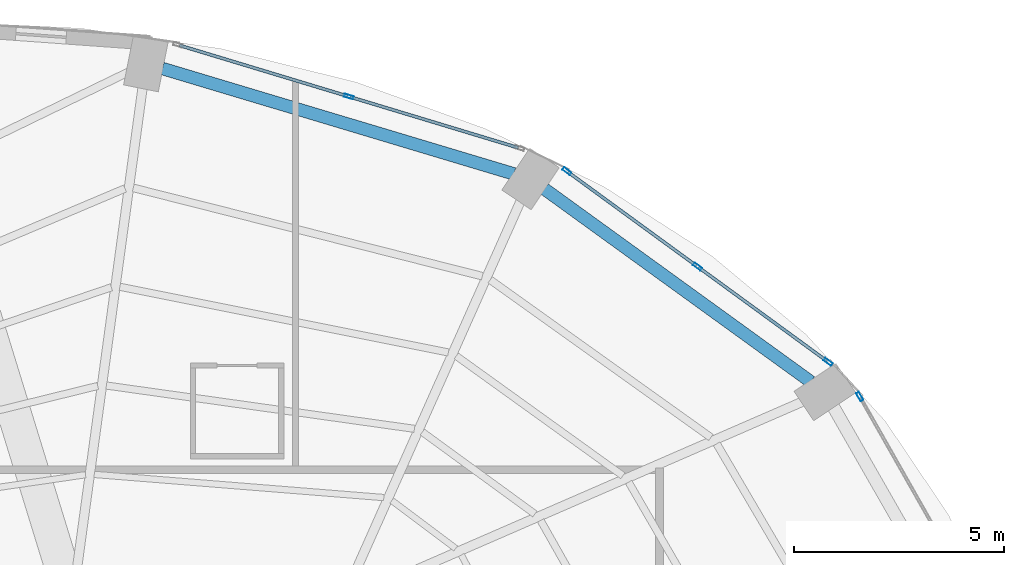
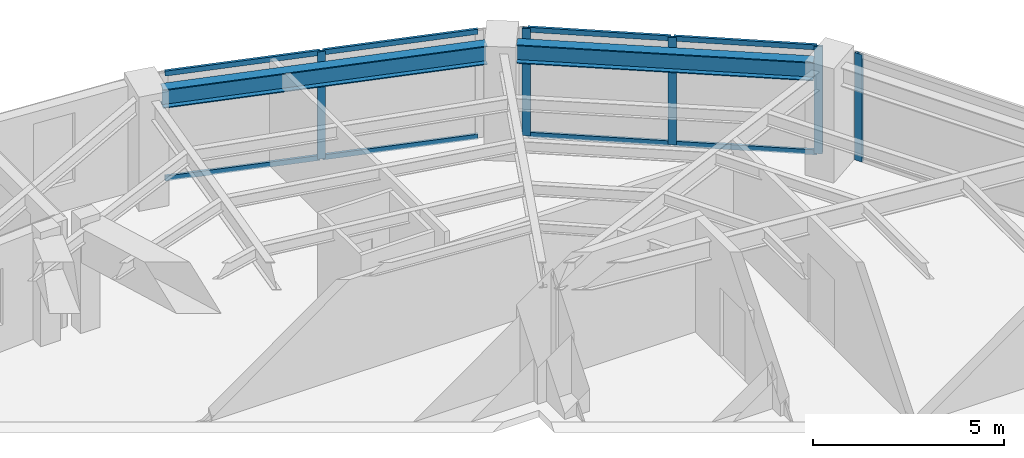
# One storey, part 18 of 24: 13 members, 2 beams, 3 elements without a shape of their own.
"""IFC4 building model written with IfcOpenShell, lengths in metres."""

from ifc_helpers import new_model, si_unit, direction, frame, origin, origin_2d, place, context, subcontext, project, spatial, hollow_rectangle, i_section, extrude, material, layer, layer_set, material_profile, profile_set, type_object, element, aggregate, save


model = new_model("IFC4")

# Units and contexts
model_context = context("Model", 3, precision=1e-05, world=origin(), true_north=direction((0.0, 1.0)))
body_context = subcontext(model_context, "Body", "Model", "MODEL_VIEW")
ifc_project = project(units=[si_unit("LENGTHUNIT", "METRE"), si_unit("AREAUNIT", "SQUARE_METRE"), si_unit("VOLUMEUNIT", "CUBIC_METRE"), si_unit("PLANEANGLEUNIT", "RADIAN"), si_unit("MASSUNIT", "GRAM", prefix="KILO")], contexts=[model_context])

# Site, building, storey
site_placement = place(None, origin())
site = spatial("IfcSite", under=ifc_project, at=site_placement, CompositionType="ELEMENT")
building_placement = place(site_placement, origin())
building = spatial("IfcBuilding", under=site, at=building_placement, Name="Lazwardi Medical Tower", CompositionType="ELEMENT")
storey_placement = place(building_placement, frame((0.0, 0.0, 114.575927734375)))
storey = spatial("IfcBuildingStorey", under=building, at=storey_placement, Name="L29", CompositionType="ELEMENT", Elevation=114.575927734375)

# Beams
ifc_material_1 = material(Name="Steel S355", Category="steel")
ifc_material_profile_1 = material_profile(ifc_material_1, i_section(OverallWidth=0.300048828125, OverallDepth=0.60009765625, WebThickness=0.015380859375, FlangeThickness=0.030029296875, at=origin_2d()), Name="HEB 600")
ifc_profile_set_1 = profile_set([ifc_material_profile_1], Name="Steel S355")
beam_type = type_object("IfcBeamType", Name="BM-RB-Z2", PredefinedType="BEAM", material=ifc_profile_set_1)
beam_1_placement = place(storey_placement, frame((56.74560546875, 40.835205078125, 3.128173828125), z_axis=(-0.81005674773, 0.586351486275, 0.0), x_axis=(-0.586351486275, -0.81005674773, 0.0)))
element("IfcBeam", 1, at=beam_1_placement, inside=storey, type_object=beam_type, Name="Ring beam RB-03 B06 L29", PredefinedType="BEAM", context=body_context, shape_type="SweptSolid", body=[
    extrude(i_section(OverallWidth=0.300048828125, OverallDepth=0.60009765625, WebThickness=0.015380859375, FlangeThickness=0.030029296875, at=origin_2d()), origin(), (0.0, 0.0, 1.0), 7.81396484375),
])
beam_2_placement = place(storey_placement, frame((49.69091796875, 45.775390625, 3.128173828125), z_axis=(-0.957879438442, 0.287170648587, 0.0), x_axis=(-0.287170648587, -0.957879438442, 0.0)))
element("IfcBeam", 2, at=beam_2_placement, inside=storey, type_object=beam_type, Name="Ring beam RB-03 B07 L29", PredefinedType="BEAM", context=body_context, shape_type="SweptSolid", body=[
    extrude(i_section(OverallWidth=0.300048828125, OverallDepth=0.60009765625, WebThickness=0.015380859375, FlangeThickness=0.030029296875, at=origin_2d()), origin(), (0.0, 0.0, 1.0), 8.719970703125),
])

# Curtain wall, member
ifc_material_2 = material(Name="Anodised bronze aluminium and solar control glazing", Category="aluminium")
ifc_layer = layer(ifc_material_2, 0.195068359375)
ifc_layer_set = layer_set([ifc_layer], Name="Anodised bronze aluminium and solar control glazing")
curtain_wall_type = type_object("IfcCurtainWallType", Name="CW-SYS-03", PredefinedType="NOTDEFINED", material=ifc_layer_set)
curtain_wall_1_placement = place(storey_placement, origin())
curtain_wall_1 = element("IfcCurtainWall", 3, at=curtain_wall_1_placement, inside=storey, type_object=curtain_wall_type, Name="L29 Unitised bronze curtain wall CW-03", PredefinedType="NOTDEFINED")
ifc_material_3 = material(Name="Anodised bronze aluminium", Category="aluminium")
ifc_material_profile_2 = material_profile(ifc_material_3, hollow_rectangle(XDim=0.074951171875, YDim=0.219970703125, WallThickness=0.00390625, at=origin_2d()), Name="ALU-MULLION 220x75x4")
ifc_profile_set_2 = profile_set([ifc_material_profile_2], Name="Anodised bronze aluminium")
member_type_1 = type_object("IfcMemberType", Name="CW-MUL-01", PredefinedType="MULLION", material=ifc_profile_set_2)
member_1_placement = place(storey_placement, frame((57.9072265625, 40.48583984375, 0.0), z_axis=(0.0, 0.0, 1.0), x_axis=(-0.869687265712, -0.493603140041, 0.0)))
member_1 = element("IfcMember", 4, at=member_1_placement, type_object=member_type_1, Name="CW-03 mullion 2", PredefinedType="MULLION", context=body_context, shape_type="SweptSolid", body=[
    extrude(hollow_rectangle(XDim=0.074951171875, YDim=0.219970703125, WallThickness=0.00390625, at=origin_2d()), origin(), (0.0, 0.0, 1.0), 3.427978515625),
])
aggregate(curtain_wall_1, [member_1])

# Curtain wall, members
curtain_wall_2_placement = place(storey_placement, origin())
curtain_wall_2 = element("IfcCurtainWall", 5, at=curtain_wall_2_placement, inside=storey, type_object=curtain_wall_type, Name="L29 Unitised bronze curtain wall CW-03", PredefinedType="NOTDEFINED")
member_2_placement = place(storey_placement, frame((57.155029296875, 41.308837890625, 0.0), z_axis=(0.0, 0.0, 1.0), x_axis=(-0.589530882802, -0.807745837639, 0.0)))
member_2 = element("IfcMember", 6, at=member_2_placement, type_object=member_type_1, Name="CW-03 mullion 1", PredefinedType="MULLION", context=body_context, shape_type="SweptSolid", body=[
    extrude(hollow_rectangle(XDim=0.074951171875, YDim=0.219970703125, WallThickness=0.00390625, at=origin_2d()), origin(), (0.0, 0.0, 1.0), 3.427978515625),
])
member_3_placement = place(storey_placement, frame((54.051025390625, 43.57421875, 0.0), z_axis=(0.0, 0.0, 1.0), x_axis=(-0.589530882802, -0.807745837639, 0.0)))
member_3 = element("IfcMember", 7, at=member_3_placement, type_object=member_type_1, Name="CW-03 mullion 2", PredefinedType="MULLION", context=body_context, shape_type="SweptSolid", body=[
    extrude(hollow_rectangle(XDim=0.074951171875, YDim=0.219970703125, WallThickness=0.00390625, at=origin_2d()), origin(), (0.0, 0.0, 1.0), 3.427978515625),
])
member_4_placement = place(storey_placement, frame((50.947265625, 45.839599609375, 0.0), z_axis=(0.0, 0.0, 1.0), x_axis=(-0.589530882802, -0.807745837639, 0.0)))
member_4 = element("IfcMember", 8, at=member_4_placement, type_object=member_type_1, Name="CW-03 mullion 3", PredefinedType="MULLION", context=body_context, shape_type="SweptSolid", body=[
    extrude(hollow_rectangle(XDim=0.074951171875, YDim=0.219970703125, WallThickness=0.00390625, at=origin_2d()), origin(), (0.0, 0.0, 1.0), 3.427978515625),
])

# Curtain wall, member
curtain_wall_3_placement = place(storey_placement, origin())
curtain_wall_3 = element("IfcCurtainWall", 9, at=curtain_wall_3_placement, inside=storey, type_object=curtain_wall_type, Name="L29 Unitised bronze curtain wall CW-03", PredefinedType="NOTDEFINED")
member_5_placement = place(storey_placement, frame((45.769287109375, 47.613037109375, 0.0), z_axis=(0.0, 0.0, 1.0), x_axis=(-0.28937381157, -0.957216170558, 0.0)))
member_5 = element("IfcMember", 10, at=member_5_placement, type_object=member_type_1, Name="CW-03 mullion 2", PredefinedType="MULLION", context=body_context, shape_type="SweptSolid", body=[
    extrude(hollow_rectangle(XDim=0.074951171875, YDim=0.219970703125, WallThickness=0.00390625, at=origin_2d()), origin(), (0.0, 0.0, 1.0), 3.427978515625),
])

# Member
ifc_material_profile_3 = material_profile(ifc_material_3, hollow_rectangle(XDim=0.074951171875, YDim=0.159912109375, WallThickness=0.00390625, at=origin_2d()), Name="ALU-TRANSOM 160x75x4")
ifc_profile_set_3 = profile_set([ifc_material_profile_3], Name="Anodised bronze aluminium")
member_type_2 = type_object("IfcMemberType", Name="CW-TRN-01", PredefinedType="USERDEFINED", material=ifc_profile_set_3)
member_6_placement = place(storey_placement, frame((57.12451171875, 41.3310546875, 0.03759765625), z_axis=(-0.807731734271, 0.589550206049, 0.0), x_axis=(-0.589550206049, -0.807731734271, 0.0)))
member_6 = element("IfcMember", 11, at=member_6_placement, type_object=member_type_2, Name="CW-03 transom 1.1", ObjectType="TRANSOM", PredefinedType="USERDEFINED", context=body_context, shape_type="SweptSolid", body=[
    extrude(hollow_rectangle(XDim=0.074951171875, YDim=0.159912109375, WallThickness=0.00390625, at=origin_2d()), origin(), (0.0, 0.0, 1.0), 3.767578125),
])

member_7_placement = place(storey_placement, frame((57.12451171875, 41.3310546875, 3.390625), z_axis=(-0.807731734271, 0.589550206049, 0.0), x_axis=(-0.589550206049, -0.807731734271, 0.0)))
member_7 = element("IfcMember", 12, at=member_7_placement, type_object=member_type_2, Name="CW-03 transom 1.2", ObjectType="TRANSOM", PredefinedType="USERDEFINED", context=body_context, shape_type="SweptSolid", body=[
    extrude(hollow_rectangle(XDim=0.074951171875, YDim=0.159912109375, WallThickness=0.00390625, at=origin_2d()), origin(), (0.0, 0.0, 1.0), 3.767578125),
])

member_8_placement = place(storey_placement, frame((54.020751953125, 43.596435546875, 0.03759765625), z_axis=(-0.80776259199, 0.58950792614, 0.0), x_axis=(-0.58950792614, -0.80776259199, 0.0)))
member_8 = element("IfcMember", 13, at=member_8_placement, type_object=member_type_2, Name="CW-03 transom 2.1", ObjectType="TRANSOM", PredefinedType="USERDEFINED", context=body_context, shape_type="SweptSolid", body=[
    extrude(hollow_rectangle(XDim=0.074951171875, YDim=0.159912109375, WallThickness=0.00390625, at=origin_2d()), origin(), (0.0, 0.0, 1.0), 3.767578125),
])

member_9_placement = place(storey_placement, frame((54.020751953125, 43.596435546875, 3.390625), z_axis=(-0.80776259199, 0.58950792614, 0.0), x_axis=(-0.58950792614, -0.80776259199, 0.0)))
member_9 = element("IfcMember", 14, at=member_9_placement, type_object=member_type_2, Name="CW-03 transom 2.2", ObjectType="TRANSOM", PredefinedType="USERDEFINED", context=body_context, shape_type="SweptSolid", body=[
    extrude(hollow_rectangle(XDim=0.074951171875, YDim=0.159912109375, WallThickness=0.00390625, at=origin_2d()), origin(), (0.0, 0.0, 1.0), 3.767578125),
])

aggregate(curtain_wall_2, [member_2, member_3, member_4, member_6, member_7, member_8, member_9])

member_10_placement = place(storey_placement, frame((49.79248046875, 46.396728515625, 0.03759765625), z_axis=(-0.957204630929, 0.289411980623, 0.0), x_axis=(-0.289411980623, -0.957204630929, 0.0)))
member_10 = element("IfcMember", 15, at=member_10_placement, type_object=member_type_2, Name="CW-03 transom 1.1", ObjectType="TRANSOM", PredefinedType="USERDEFINED", context=body_context, shape_type="SweptSolid", body=[
    extrude(hollow_rectangle(XDim=0.074951171875, YDim=0.159912109375, WallThickness=0.00390625, at=origin_2d()), origin(), (0.0, 0.0, 1.0), 4.16552734375),
])

member_11_placement = place(storey_placement, frame((49.79248046875, 46.396728515625, 3.390625), z_axis=(-0.957204630929, 0.289411980623, 0.0), x_axis=(-0.289411980623, -0.957204630929, 0.0)))
member_11 = element("IfcMember", 16, at=member_11_placement, type_object=member_type_2, Name="CW-03 transom 1.2", ObjectType="TRANSOM", PredefinedType="USERDEFINED", context=body_context, shape_type="SweptSolid", body=[
    extrude(hollow_rectangle(XDim=0.074951171875, YDim=0.159912109375, WallThickness=0.00390625, at=origin_2d()), origin(), (0.0, 0.0, 1.0), 4.16552734375),
])

member_12_placement = place(storey_placement, frame((45.7333984375, 47.6240234375, 0.03759765625), z_axis=(-0.957220865985, 0.289358279168, 0.0), x_axis=(-0.289358279168, -0.957220865985, 0.0)))
member_12 = element("IfcMember", 17, at=member_12_placement, type_object=member_type_2, Name="CW-03 transom 2.1", ObjectType="TRANSOM", PredefinedType="USERDEFINED", context=body_context, shape_type="SweptSolid", body=[
    extrude(hollow_rectangle(XDim=0.074951171875, YDim=0.159912109375, WallThickness=0.00390625, at=origin_2d()), origin(), (0.0, 0.0, 1.0), 4.16552734375),
])

member_13_placement = place(storey_placement, frame((45.7333984375, 47.6240234375, 3.390625), z_axis=(-0.957220865985, 0.289358279168, 0.0), x_axis=(-0.289358279168, -0.957220865985, 0.0)))
member_13 = element("IfcMember", 18, at=member_13_placement, type_object=member_type_2, Name="CW-03 transom 2.2", ObjectType="TRANSOM", PredefinedType="USERDEFINED", context=body_context, shape_type="SweptSolid", body=[
    extrude(hollow_rectangle(XDim=0.074951171875, YDim=0.159912109375, WallThickness=0.00390625, at=origin_2d()), origin(), (0.0, 0.0, 1.0), 4.16552734375),
])

aggregate(curtain_wall_3, [member_5, member_10, member_11, member_12, member_13])

save(model, "model.ifc")
